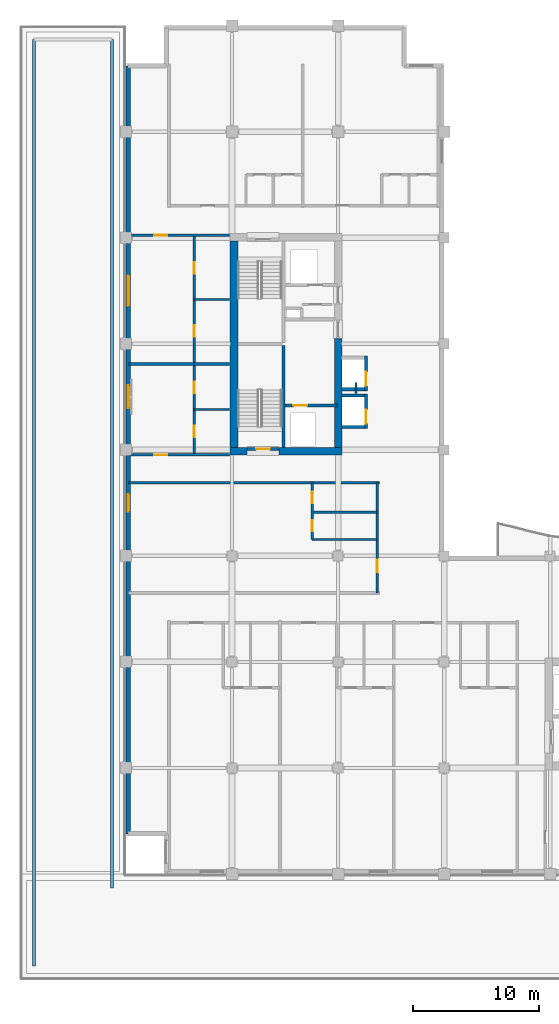
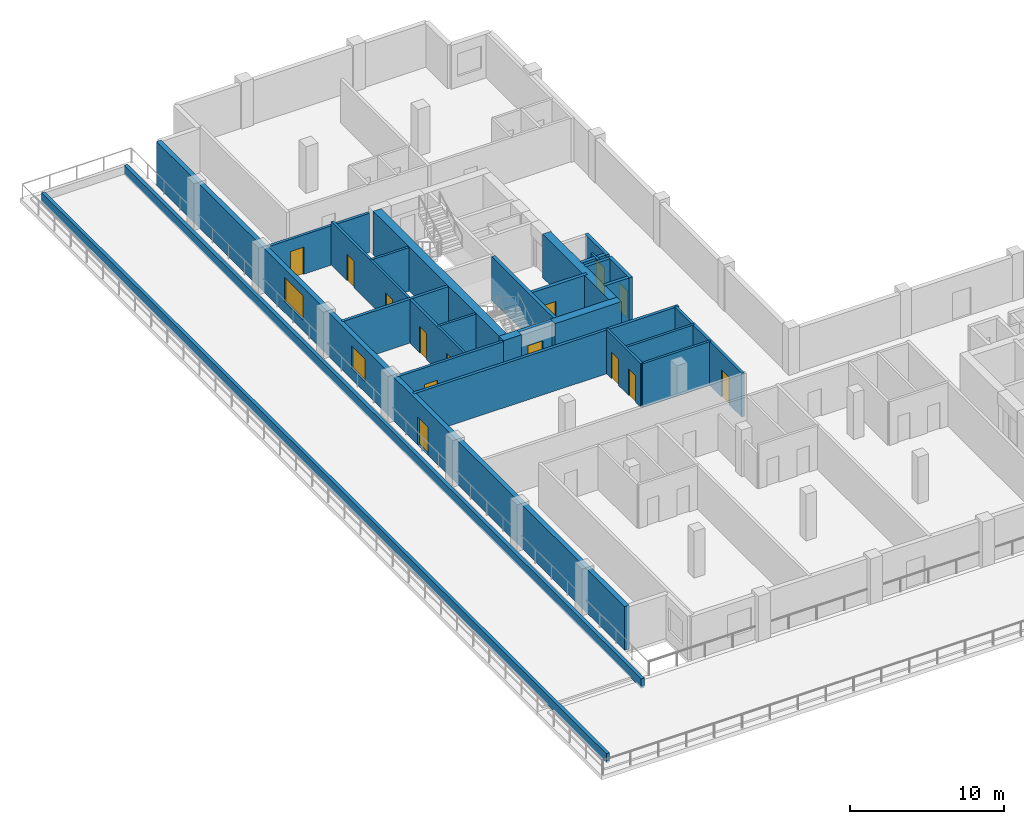
# One storey, part 5 of 13: 28 walls, 14 doors, 2 windows, 16 openings.
"""IFC4 building model written with IfcOpenShell, lengths in metres."""

from ifc_helpers import new_model, si_unit, direction, frame, frame_2d, origin, place, context, subcontext, project, spatial, rectangle, extrude, material, layer, layer_set, type_object, element, fill, save


model = new_model("IFC4")

# Units and contexts
model_context = context("Model", 3, precision=1e-05, world=origin(), true_north=direction((0.0, 1.0)))
body_context = subcontext(model_context, "Body", "Model", "MODEL_VIEW")
ifc_project = project(units=[si_unit("LENGTHUNIT", "METRE"), si_unit("AREAUNIT", "SQUARE_METRE"), si_unit("VOLUMEUNIT", "CUBIC_METRE"), si_unit("PLANEANGLEUNIT", "RADIAN"), si_unit("MASSUNIT", "GRAM", prefix="KILO")], contexts=[model_context])

# Site, building, storey
site_placement = place(None, origin())
site = spatial("IfcSite", under=ifc_project, at=site_placement, CompositionType="ELEMENT")
building_placement = place(site_placement, origin())
building = spatial("IfcBuilding", under=site, at=building_placement, Name="Koriwani Terraces Tower", CompositionType="ELEMENT")
storey_placement = place(building_placement, frame((0.0, 0.0, 234.199951171875)))
storey = spatial("IfcBuildingStorey", under=building, at=storey_placement, Name="L57", CompositionType="ELEMENT", Elevation=234.199951171875)

# Walls
ifc_material_1 = material(Name="Concrete C60/75", Category="concrete")
ifc_layer_1 = layer(ifc_material_1, 0.60009765625, Name="Concrete C60/75")
ifc_layer_set_1 = layer_set([ifc_layer_1], Name="Concrete C60/75")
wall_type_1 = type_object("IfcWallType", Name="WALL_CORE_RC_600", PredefinedType="SHEAR", material=ifc_layer_set_1)
wall_1_placement = place(storey_placement, frame((16.64990234375, 41.89990234375, 0.0), z_axis=(0.0, 0.0, 1.0), x_axis=(1.0, 0.0, 0.0)))
element("IfcWall", 1, at=wall_1_placement, inside=storey, type_object=wall_type_1, Name="L57 West Split Core Shear Wall S1", PredefinedType="SHEAR", context=body_context, shape_type="SweptSolid", body=[
    extrude(rectangle(XDim=1.35009765625, YDim=0.60009765625, at=frame_2d((0.675048828125, 0.0))), origin(), (0.0, 0.0, 1.0), 3.469970703125),
])
wall_2_placement = place(storey_placement, frame((20.5, 41.89990234375, 0.0), z_axis=(0.0, 0.0, 1.0), x_axis=(1.0, 0.0, 0.0)))
element("IfcWall", 2, at=wall_2_placement, inside=storey, type_object=wall_type_1, Name="L57 West Split Core Shear Wall S2", PredefinedType="SHEAR", context=body_context, shape_type="SweptSolid", body=[
    extrude(rectangle(XDim=5.0, YDim=0.60009765625, at=frame_2d((2.5, 0.0))), origin(), (0.0, 0.0, 1.0), 3.469970703125),
])
wall_3_placement = place(storey_placement, frame((16.949951171875, 42.199951171875, 0.0), z_axis=(0.0, 0.0, 1.0), x_axis=(0.0, 1.0, 0.0)))
element("IfcWall", 3, at=wall_3_placement, inside=storey, type_object=wall_type_1, Name="L57 West Split Core Shear Wall W1", PredefinedType="SHEAR", context=body_context, shape_type="SweptSolid", body=[
    extrude(rectangle(XDim=16.35009765625, YDim=0.60009765625, at=frame_2d((8.175048828125, 0.0))), origin(), (0.0, 0.0, 1.0), 3.469970703125),
])
wall_4_placement = place(storey_placement, frame((25.199951171875, 42.199951171875, 0.0), z_axis=(0.0, 0.0, 1.0), x_axis=(0.0, 1.0, 0.0)))
element("IfcWall", 4, at=wall_4_placement, inside=storey, type_object=wall_type_1, Name="L57 West Split Core Shear Wall E1", PredefinedType="SHEAR", context=body_context, shape_type="SweptSolid", body=[
    extrude(rectangle(XDim=8.60009765625, YDim=0.60009765625, at=frame_2d((4.300048828125, 0.0))), origin(), (0.0, 0.0, 1.0), 3.469970703125),
])

# Wall, opening, door
ifc_material_2 = material(Name="Autoclaved Cellular Concrete Blockwork", Category="masonry")
ifc_layer_2 = layer(ifc_material_2, 0.199951171875, Name="Autoclaved Cellular Concrete Blockwork")
ifc_layer_set_2 = layer_set([ifc_layer_2], Name="Autoclaved Cellular Concrete Blockwork")
wall_type_2 = type_object("IfcWallType", Name="WALL_CORRIDOR_200", PredefinedType="PARTITIONING", material=ifc_layer_set_2)
wall_5_placement = place(storey_placement, frame((8.64990234375, 41.60009765625, 0.0), z_axis=(0.0, 0.0, 1.0), x_axis=(1.0, 0.0, 0.0)))
wall_5 = element("IfcWall", 5, at=wall_5_placement, inside=storey, type_object=wall_type_2, Name="L57 Interior Wall WRZ4-WS-L57", PredefinedType="PARTITIONING", context=body_context, shape_type="SweptSolid", body=[
    extrude(rectangle(XDim=7.9501953125, YDim=0.199951171875, at=frame_2d((3.97509765625, 0.0))), origin(), (0.0, 0.0, 1.0), 3.469970703125),
])
opening_1_placement = place(wall_5_placement, frame((2.0, 0.0, 0.0)))
opening_1 = element("IfcOpeningElement", 6, at=opening_1_placement, cuts=wall_5, Name="Opening D-05", PredefinedType="OPENING", context=body_context, shape_type="SweptSolid", body=[
    extrude(rectangle(XDim=1.0, YDim=2.14990234375, at=frame_2d((0.5, 1.074951171875))), frame((0.0, 0.10986328125, 0.0), z_axis=(0.0, -1.0, 0.0), x_axis=(1.0, 0.0, 0.0)), (0.0, 0.0, 1.0), 0.219970703125),
])
ifc_material_3 = material(Name="Architectural Oak Fire Door", Category="wood")
door_type_1 = type_object("IfcDoorType", Name="DOOR_SUITE_ENTRY_1000X2150", OperationType="NOTDEFINED", PredefinedType="DOOR", material=ifc_material_3)
door_1_placement = place(opening_1_placement, origin())
door_1 = element("IfcDoor", 7, at=door_1_placement, inside=storey, type_object=door_type_1, Name="Apartment 57RW1 Entrance Door", OperationType="SINGLE_SWING_LEFT", OverallHeight=2.14990234375, OverallWidth=1.0, PredefinedType="DOOR", context=body_context, shape_type="SweptSolid", body=[
    extrude(rectangle(XDim=1.0, YDim=2.14990234375, at=frame_2d((0.5, 1.074951171875))), frame((0.0, 0.02490234375, 0.0), z_axis=(0.0, -1.0, 0.0), x_axis=(1.0, 0.0, 0.0)), (0.0, 0.0, 1.0), 0.050048828125),
])
fill(opening_1, door_1)

wall_6_placement = place(storey_placement, frame((8.64990234375, 59.0, 0.0), z_axis=(0.0, 0.0, 1.0), x_axis=(1.0, 0.0, 0.0)))
wall_6 = element("IfcWall", 8, at=wall_6_placement, inside=storey, type_object=wall_type_2, Name="L57 Interior Wall WRZ4-WN-L57", PredefinedType="PARTITIONING", context=body_context, shape_type="SweptSolid", body=[
    extrude(rectangle(XDim=7.9501953125, YDim=0.199951171875, at=frame_2d((3.97509765625, 0.0))), origin(), (0.0, 0.0, 1.0), 3.115966796875),
])
opening_2_placement = place(wall_6_placement, frame((2.0, 0.0, 0.0)))
opening_2 = element("IfcOpeningElement", 9, at=opening_2_placement, cuts=wall_6, Name="Opening D-05", PredefinedType="OPENING", context=body_context, shape_type="SweptSolid", body=[
    extrude(rectangle(XDim=1.0, YDim=2.14990234375, at=frame_2d((0.5, 1.074951171875))), frame((0.0, 0.10986328125, 0.0), z_axis=(0.0, -1.0, 0.0), x_axis=(1.0, 0.0, 0.0)), (0.0, 0.0, 1.0), 0.219970703125),
])
door_2_placement = place(opening_2_placement, origin())
door_2 = element("IfcDoor", 10, at=door_2_placement, inside=storey, type_object=door_type_1, Name="Apartment 57RW2 Entrance Door", OperationType="SINGLE_SWING_RIGHT", OverallHeight=2.14990234375, OverallWidth=1.0, PredefinedType="DOOR", context=body_context, shape_type="SweptSolid", body=[
    extrude(rectangle(XDim=1.0, YDim=2.14990234375, at=frame_2d((0.5, 1.074951171875))), frame((0.0, 0.02490234375, 0.0), z_axis=(0.0, -1.0, 0.0), x_axis=(1.0, 0.0, 0.0)), (0.0, 0.0, 1.0), 0.050048828125),
])
fill(opening_2, door_2)

wall_7_placement = place(storey_placement, frame((28.300048828125, 30.64990234375, 0.0), z_axis=(0.0, 0.0, 1.0), x_axis=(0.0, 1.0, 0.0)))
wall_7 = element("IfcWall", 11, at=wall_7_placement, inside=storey, type_object=wall_type_2, Name="L57 Interior Wall WRCOR-L57-NE-0", PredefinedType="PARTITIONING", context=body_context, shape_type="SweptSolid", body=[
    extrude(rectangle(XDim=8.75, YDim=0.199951171875, at=frame_2d((4.375, 0.0))), origin(), (0.0, 0.0, 1.0), 3.469970703125),
])
opening_3_placement = place(wall_7_placement, frame((1.64501953125, 0.0, 0.0)))
opening_3 = element("IfcOpeningElement", 12, at=opening_3_placement, cuts=wall_7, Name="Opening D-05", PredefinedType="OPENING", context=body_context, shape_type="SweptSolid", body=[
    extrude(rectangle(XDim=1.0, YDim=2.14990234375, at=frame_2d((0.5, 1.074951171875))), frame((0.0, 0.10986328125, 0.0), z_axis=(0.0, -1.0, 0.0), x_axis=(1.0, 0.0, 0.0)), (0.0, 0.0, 1.0), 0.219970703125),
])
door_3_placement = place(opening_3_placement, origin())
door_3 = element("IfcDoor", 13, at=door_3_placement, inside=storey, type_object=door_type_1, Name="Apartment 57NE1 Entrance Door", OperationType="SINGLE_SWING_RIGHT", OverallHeight=2.14990234375, OverallWidth=1.0, PredefinedType="DOOR", context=body_context, shape_type="SweptSolid", body=[
    extrude(rectangle(XDim=1.0, YDim=2.14990234375, at=frame_2d((0.5, 1.074951171875))), frame((0.0, 0.02490234375, 0.0), z_axis=(0.0, -1.0, 0.0), x_axis=(1.0, 0.0, 0.0)), (0.0, 0.0, 1.0), 0.050048828125),
])
fill(opening_3, door_3)

# Walls
ifc_layer_3 = layer(ifc_material_2, 0.219970703125, Name="Autoclaved Cellular Concrete Blockwork")
ifc_layer_set_3 = layer_set([ifc_layer_3], Name="Autoclaved Cellular Concrete Blockwork")
wall_type_3 = type_object("IfcWallType", Name="WALL_DEMISING_220", PredefinedType="PARTITIONING", material=ifc_layer_set_3)
wall_8_placement = place(storey_placement, frame((8.64990234375, 48.800048828125, 0.0), z_axis=(0.0, 0.0, 1.0), x_axis=(1.0, 0.0, 0.0)))
element("IfcWall", 14, at=wall_8_placement, inside=storey, type_object=wall_type_3, Name="L57 Interior Wall WRZ4-WM-L57", PredefinedType="PARTITIONING", context=body_context, shape_type="SweptSolid", body=[
    extrude(rectangle(XDim=7.9501953125, YDim=0.219970703125, at=frame_2d((3.97509765625, 0.0))), origin(), (0.0, 0.0, 1.0), 3.469970703125),
])
wall_9_placement = place(storey_placement, frame((8.60009765625, 39.39990234375, 0.0), z_axis=(0.0, 0.0, 1.0), x_axis=(1.0, 0.0, 0.0)))
element("IfcWall", 15, at=wall_9_placement, inside=storey, type_object=wall_type_3, Name="L57 Interior Wall WRDEME-L57-NE", PredefinedType="PARTITIONING", context=body_context, shape_type="SweptSolid", body=[
    extrude(rectangle(XDim=19.8798828125, YDim=0.219970703125, at=frame_2d((9.93994140625, 0.0))), origin(), (0.0, 0.0, 1.0), 3.469970703125),
])

# Wall, openings, door, windows
ifc_material_4 = material(Name="Concrete C50/60", Category="concrete")
ifc_layer_4 = layer(ifc_material_4, 0.35009765625, Name="Concrete C50/60")
ifc_layer_set_4 = layer_set([ifc_layer_4], Name="Concrete C50/60")
wall_type_4 = type_object("IfcWallType", Name="WALL_EXT_BRUTALIST_350", PredefinedType="STANDARD", material=ifc_layer_set_4)
wall_10_placement = place(storey_placement, frame((8.574951171875, 11.574951171875, 0.0), z_axis=(0.0, 0.0, 1.0), x_axis=(0.0, 1.0, 0.0)))
wall_10 = element("IfcWall", 16, at=wall_10_placement, inside=storey, type_object=wall_type_4, Name="L57 Fair-Faced Brutalist Exterior Wall (W)", PredefinedType="STANDARD", context=body_context, shape_type="SweptSolid", body=[
    extrude(rectangle(XDim=60.85009765625, YDim=0.35009765625, at=frame_2d((30.425048828125, 0.0))), origin(), (0.0, 0.0, 1.0), 3.469970703125),
])
opening_4_placement = place(wall_10_placement, frame((25.52490234375, 0.0, 0.0)))
opening_4 = element("IfcOpeningElement", 17, at=opening_4_placement, cuts=wall_10, Name="Opening D-09", PredefinedType="OPENING", context=body_context, shape_type="SweptSolid", body=[
    extrude(rectangle(XDim=1.39990234375, YDim=2.199951171875, at=frame_2d((0.699951171875, 1.10009765625))), frame((0.0, 0.18505859375, 0.0), z_axis=(0.0, -1.0, 0.0), x_axis=(1.0, 0.0, 0.0)), (0.0, 0.0, 1.0), 0.3701171875),
])
opening_5_placement = place(wall_10_placement, frame((33.72509765625, 0.0, 0.85009765625)))
opening_5 = element("IfcOpeningElement", 18, at=opening_5_placement, cuts=wall_10, Name="Opening W-04", PredefinedType="OPENING", context=body_context, shape_type="SweptSolid", body=[
    extrude(rectangle(XDim=1.800048828125, YDim=1.800048828125, at=frame_2d((0.89990234375, 0.89990234375))), frame((0.0, 0.18505859375, 0.0), z_axis=(0.0, -1.0, 0.0), x_axis=(1.0, 0.0, 0.0)), (0.0, 0.0, 1.0), 0.3701171875),
])
opening_6_placement = place(wall_10_placement, frame((41.824951171875, 0.0, 0.85009765625)))
opening_6 = element("IfcOpeningElement", 19, at=opening_6_placement, cuts=wall_10, Name="Opening W-03", PredefinedType="OPENING", context=body_context, shape_type="SweptSolid", body=[
    extrude(rectangle(XDim=2.39990234375, YDim=1.949951171875, at=frame_2d((1.199951171875, 0.97509765625))), frame((0.0, 0.18505859375, 0.0), z_axis=(0.0, -1.0, 0.0), x_axis=(1.0, 0.0, 0.0)), (0.0, 0.0, 1.0), 0.3701171875),
])
ifc_material_5 = material(Name="Anodised Bronze Aluminium", Category="aluminium")
door_type_2 = type_object("IfcDoorType", Name="DOOR_BALCONY_GLAZED_1400X2200", OperationType="NOTDEFINED", PredefinedType="DOOR", material=ifc_material_5)
door_4_placement = place(opening_4_placement, origin())
door_4 = element("IfcDoor", 20, at=door_4_placement, inside=storey, type_object=door_type_2, Name="L57 West Spine Sky-Garden Terrace Door", OperationType="SINGLE_SWING_LEFT", OverallHeight=2.199951171875, OverallWidth=1.39990234375, PredefinedType="DOOR", context=body_context, shape_type="SweptSolid", body=[
    extrude(rectangle(XDim=1.39990234375, YDim=2.199951171875, at=frame_2d((0.699951171875, 1.10009765625))), frame((0.0, 0.02490234375, 0.0), z_axis=(0.0, -1.0, 0.0), x_axis=(1.0, 0.0, 0.0)), (0.0, 0.0, 1.0), 0.050048828125),
])
fill(opening_4, door_4)
ifc_material_6 = material(Name="Tempered Laminated Low-E Glass", Category="glass")
window_type_1 = type_object("IfcWindowType", Name="WIN_RES_BED_1800X1800", PartitioningType="DOUBLE_PANEL_VERTICAL", PredefinedType="WINDOW", material=ifc_material_6)
window_1_placement = place(opening_5_placement, origin())
window_1 = element("IfcWindow", 21, at=window_1_placement, inside=storey, type_object=window_type_1, Name="L57 Exterior Window (W-12)", OverallHeight=1.800048828125, OverallWidth=1.800048828125, PartitioningType="SINGLE_PANEL", PredefinedType="WINDOW", context=body_context, shape_type="SweptSolid", body=[
    extrude(rectangle(XDim=1.800048828125, YDim=1.800048828125, at=frame_2d((0.89990234375, 0.89990234375))), frame((0.0, 0.030029296875, 0.0), z_axis=(0.0, -1.0, 0.0), x_axis=(1.0, 0.0, 0.0)), (0.0, 0.0, 1.0), 0.06005859375),
])
fill(opening_5, window_1)
window_type_2 = type_object("IfcWindowType", Name="WIN_RES_LIVING_2400X1950", PartitioningType="DOUBLE_PANEL_VERTICAL", PredefinedType="WINDOW", material=ifc_material_6)
window_2_placement = place(opening_6_placement, origin())
window_2 = element("IfcWindow", 22, at=window_2_placement, inside=storey, type_object=window_type_2, Name="L57 Exterior Window (W-15)", OverallHeight=1.949951171875, OverallWidth=2.39990234375, PartitioningType="SINGLE_PANEL", PredefinedType="WINDOW", context=body_context, shape_type="SweptSolid", body=[
    extrude(rectangle(XDim=2.39990234375, YDim=1.949951171875, at=frame_2d((1.199951171875, 0.97509765625))), frame((0.0, 0.030029296875, 0.0), z_axis=(0.0, -1.0, 0.0), x_axis=(1.0, 0.0, 0.0)), (0.0, 0.0, 1.0), 0.06005859375),
])
fill(opening_6, window_2)

# Wall, openings, doors
ifc_material_7 = material(Name="Fire-Rated Acoustic Gypsum Partition", Category="masonry")
ifc_layer_5 = layer(ifc_material_7, 0.179931640625, Name="Fire-Rated Acoustic Gypsum Partition")
ifc_layer_set_5 = layer_set([ifc_layer_5], Name="Fire-Rated Acoustic Gypsum Partition")
wall_type_5 = type_object("IfcWallType", Name="WALL_PLUMBING_180", PredefinedType="PLUMBINGWALL", material=ifc_layer_set_5)
wall_11_placement = place(storey_placement, frame((13.800048828125, 41.699951171875, 0.0), z_axis=(0.0, 0.0, 1.0), x_axis=(0.0, 1.0, 0.0)))
wall_11 = element("IfcWall", 23, at=wall_11_placement, inside=storey, type_object=wall_type_5, Name="L57 Interior Wall WRZ4-RW1-PB-L57", PredefinedType="PLUMBINGWALL", context=body_context, shape_type="SweptSolid", body=[
    extrude(rectangle(XDim=7.0, YDim=0.179931640625, at=frame_2d((3.5, 0.0))), origin(), (0.0, 0.0, 1.0), 3.469970703125),
])
opening_7_placement = place(wall_11_placement, frame((1.300048828125, 0.0, 0.0)))
opening_7 = element("IfcOpeningElement", 24, at=opening_7_placement, cuts=wall_11, Name="Opening D-07", PredefinedType="OPENING", context=body_context, shape_type="SweptSolid", body=[
    extrude(rectangle(XDim=0.89990234375, YDim=2.10009765625, at=frame_2d((0.449951171875, 1.050048828125))), frame((0.0, 0.10009765625, 0.0), z_axis=(0.0, -1.0, 0.0), x_axis=(1.0, 0.0, 0.0)), (0.0, 0.0, 1.0), 0.199951171875),
])
opening_8_placement = place(wall_11_placement, frame((4.7900390625, 0.0, 0.0)))
opening_8 = element("IfcOpeningElement", 25, at=opening_8_placement, cuts=wall_11, Name="Opening D-06", PredefinedType="OPENING", context=body_context, shape_type="SweptSolid", body=[
    extrude(rectangle(XDim=0.919921875, YDim=2.10009765625, at=frame_2d((0.4599609375, 1.050048828125))), frame((0.0, 0.10009765625, 0.0), z_axis=(0.0, -1.0, 0.0), x_axis=(1.0, 0.0, 0.0)), (0.0, 0.0, 1.0), 0.199951171875),
])
door_type_3 = type_object("IfcDoorType", Name="DOOR_BATH_INT_900X2100", OperationType="NOTDEFINED", PredefinedType="DOOR", material=ifc_material_3)
door_5_placement = place(opening_7_placement, origin())
door_5 = element("IfcDoor", 26, at=door_5_placement, inside=storey, type_object=door_type_3, Name="Apartment 57RW1 Bathroom Door", OperationType="SINGLE_SWING_LEFT", OverallHeight=2.10009765625, OverallWidth=0.89990234375, PredefinedType="DOOR", context=body_context, shape_type="SweptSolid", body=[
    extrude(rectangle(XDim=0.89990234375, YDim=2.10009765625, at=frame_2d((0.449951171875, 1.050048828125))), frame((0.0, 0.02490234375, 0.0), z_axis=(0.0, -1.0, 0.0), x_axis=(1.0, 0.0, 0.0)), (0.0, 0.0, 1.0), 0.050048828125),
])
fill(opening_7, door_5)
door_type_4 = type_object("IfcDoorType", Name="DOOR_ROOM_INT_920X2100", OperationType="NOTDEFINED", PredefinedType="DOOR", material=ifc_material_3)
door_6_placement = place(opening_8_placement, origin())
door_6 = element("IfcDoor", 27, at=door_6_placement, inside=storey, type_object=door_type_4, Name="Apartment 57RW1 Kitchen Door", OperationType="SINGLE_SWING_RIGHT", OverallHeight=2.10009765625, OverallWidth=0.919921875, PredefinedType="DOOR", context=body_context, shape_type="SweptSolid", body=[
    extrude(rectangle(XDim=0.919921875, YDim=2.10009765625, at=frame_2d((0.4599609375, 1.050048828125))), frame((0.0, 0.02490234375, 0.0), z_axis=(0.0, -1.0, 0.0), x_axis=(1.0, 0.0, 0.0)), (0.0, 0.0, 1.0), 0.050048828125),
])
fill(opening_8, door_6)

# Wall
wall_12_placement = place(storey_placement, frame((13.800048828125, 45.199951171875, 0.0), z_axis=(0.0, 0.0, 1.0), x_axis=(1.0, 0.0, 0.0)))
element("IfcWall", 28, at=wall_12_placement, inside=storey, type_object=wall_type_5, Name="L57 Interior Wall WRZ4-RW1-P2-L57", PredefinedType="PLUMBINGWALL", context=body_context, shape_type="SweptSolid", body=[
    extrude(rectangle(XDim=2.800048828125, YDim=0.179931640625, at=frame_2d((1.39990234375, 0.0))), origin(), (0.0, 0.0, 1.0), 3.469970703125),
])

# Wall, openings, doors
wall_13_placement = place(storey_placement, frame((13.800048828125, 48.89990234375, 0.0), z_axis=(0.0, 0.0, 1.0), x_axis=(0.0, 1.0, 0.0)))
wall_13 = element("IfcWall", 29, at=wall_13_placement, inside=storey, type_object=wall_type_5, Name="L57 Interior Wall WRZ4-RW2-PB-L57", PredefinedType="PLUMBINGWALL", context=body_context, shape_type="SweptSolid", body=[
    extrude(rectangle(XDim=10.0, YDim=0.179931640625, at=frame_2d((5.0, 0.0))), origin(), (0.0, 0.0, 1.0), 3.469970703125),
])
opening_9_placement = place(wall_13_placement, frame((2.050048828125, 0.0, 0.0)))
opening_9 = element("IfcOpeningElement", 30, at=opening_9_placement, cuts=wall_13, Name="Opening D-07", PredefinedType="OPENING", context=body_context, shape_type="SweptSolid", body=[
    extrude(rectangle(XDim=0.89990234375, YDim=2.10009765625, at=frame_2d((0.449951171875, 1.050048828125))), frame((0.0, 0.10009765625, 0.0), z_axis=(0.0, -1.0, 0.0), x_axis=(1.0, 0.0, 0.0)), (0.0, 0.0, 1.0), 0.199951171875),
])
opening_10_placement = place(wall_13_placement, frame((7.0400390625, 0.0, 0.0)))
opening_10 = element("IfcOpeningElement", 31, at=opening_10_placement, cuts=wall_13, Name="Opening D-06", PredefinedType="OPENING", context=body_context, shape_type="SweptSolid", body=[
    extrude(rectangle(XDim=0.919921875, YDim=2.10009765625, at=frame_2d((0.4599609375, 1.050048828125))), frame((0.0, 0.10009765625, 0.0), z_axis=(0.0, -1.0, 0.0), x_axis=(1.0, 0.0, 0.0)), (0.0, 0.0, 1.0), 0.199951171875),
])
door_7_placement = place(opening_9_placement, origin())
door_7 = element("IfcDoor", 32, at=door_7_placement, inside=storey, type_object=door_type_3, Name="Apartment 57RW2 Bathroom Door", OperationType="SINGLE_SWING_LEFT", OverallHeight=2.10009765625, OverallWidth=0.89990234375, PredefinedType="DOOR", context=body_context, shape_type="SweptSolid", body=[
    extrude(rectangle(XDim=0.89990234375, YDim=2.10009765625, at=frame_2d((0.449951171875, 1.050048828125))), frame((0.0, 0.02490234375, 0.0), z_axis=(0.0, -1.0, 0.0), x_axis=(1.0, 0.0, 0.0)), (0.0, 0.0, 1.0), 0.050048828125),
])
fill(opening_9, door_7)
door_8_placement = place(opening_10_placement, origin())
door_8 = element("IfcDoor", 33, at=door_8_placement, inside=storey, type_object=door_type_4, Name="Apartment 57RW2 Kitchen Door", OperationType="SINGLE_SWING_RIGHT", OverallHeight=2.10009765625, OverallWidth=0.919921875, PredefinedType="DOOR", context=body_context, shape_type="SweptSolid", body=[
    extrude(rectangle(XDim=0.919921875, YDim=2.10009765625, at=frame_2d((0.4599609375, 1.050048828125))), frame((0.0, 0.02490234375, 0.0), z_axis=(0.0, -1.0, 0.0), x_axis=(1.0, 0.0, 0.0)), (0.0, 0.0, 1.0), 0.050048828125),
])
fill(opening_10, door_8)

# Wall
wall_14_placement = place(storey_placement, frame((13.800048828125, 53.89990234375, 0.0), z_axis=(0.0, 0.0, 1.0), x_axis=(1.0, 0.0, 0.0)))
element("IfcWall", 34, at=wall_14_placement, inside=storey, type_object=wall_type_5, Name="L57 Interior Wall WRZ4-RW2-P2-L57", PredefinedType="PLUMBINGWALL", context=body_context, shape_type="SweptSolid", body=[
    extrude(rectangle(XDim=2.800048828125, YDim=0.179931640625, at=frame_2d((1.39990234375, 0.0))), origin(), (0.0, 0.0, 1.0), 3.469970703125),
])

# Wall, openings, doors
wall_15_placement = place(storey_placement, frame((23.14990234375, 34.89990234375, 0.0), z_axis=(0.0, 0.0, 1.0), x_axis=(0.0, 1.0, 0.0)))
wall_15 = element("IfcWall", 35, at=wall_15_placement, inside=storey, type_object=wall_type_5, Name="L57 Interior Wall WRSVC-L57-NE-0", PredefinedType="PLUMBINGWALL", context=body_context, shape_type="SweptSolid", body=[
    extrude(rectangle(XDim=4.5, YDim=0.179931640625, at=frame_2d((2.25, 0.0))), origin(), (0.0, 0.0, 1.0), 3.469970703125),
])
opening_11_placement = place(wall_15_placement, frame((0.6298828125, 0.0, 0.0)))
opening_11 = element("IfcOpeningElement", 36, at=opening_11_placement, cuts=wall_15, Name="Opening D-07", PredefinedType="OPENING", context=body_context, shape_type="SweptSolid", body=[
    extrude(rectangle(XDim=0.89990234375, YDim=2.10009765625, at=frame_2d((0.449951171875, 1.050048828125))), frame((0.0, 0.10009765625, 0.0), z_axis=(0.0, -1.0, 0.0), x_axis=(1.0, 0.0, 0.0)), (0.0, 0.0, 1.0), 0.199951171875),
])
opening_12_placement = place(wall_15_placement, frame((2.8701171875, 0.0, 0.0)))
opening_12 = element("IfcOpeningElement", 37, at=opening_12_placement, cuts=wall_15, Name="Opening D-06", PredefinedType="OPENING", context=body_context, shape_type="SweptSolid", body=[
    extrude(rectangle(XDim=0.919921875, YDim=2.10009765625, at=frame_2d((0.4599609375, 1.050048828125))), frame((0.0, 0.10009765625, 0.0), z_axis=(0.0, -1.0, 0.0), x_axis=(1.0, 0.0, 0.0)), (0.0, 0.0, 1.0), 0.199951171875),
])
door_9_placement = place(opening_11_placement, origin())
door_9 = element("IfcDoor", 38, at=door_9_placement, inside=storey, type_object=door_type_3, Name="Apartment 57NE1 Bathroom Door", OperationType="SINGLE_SWING_LEFT", OverallHeight=2.10009765625, OverallWidth=0.89990234375, PredefinedType="DOOR", context=body_context, shape_type="SweptSolid", body=[
    extrude(rectangle(XDim=0.89990234375, YDim=2.10009765625, at=frame_2d((0.449951171875, 1.050048828125))), frame((0.0, 0.02490234375, 0.0), z_axis=(0.0, -1.0, 0.0), x_axis=(1.0, 0.0, 0.0)), (0.0, 0.0, 1.0), 0.050048828125),
])
fill(opening_11, door_9)
door_10_placement = place(opening_12_placement, origin())
door_10 = element("IfcDoor", 39, at=door_10_placement, inside=storey, type_object=door_type_4, Name="Apartment 57NE1 Kitchen Door", OperationType="SINGLE_SWING_RIGHT", OverallHeight=2.10009765625, OverallWidth=0.919921875, PredefinedType="DOOR", context=body_context, shape_type="SweptSolid", body=[
    extrude(rectangle(XDim=0.919921875, YDim=2.10009765625, at=frame_2d((0.4599609375, 1.050048828125))), frame((0.0, 0.02490234375, 0.0), z_axis=(0.0, -1.0, 0.0), x_axis=(1.0, 0.0, 0.0)), (0.0, 0.0, 1.0), 0.050048828125),
])
fill(opening_12, door_10)

# Walls
for number, where, z_axis, x_axis, name in (
    (40, (23.14990234375, 34.89990234375, 0.0), (0.0, 0.0, 1.0), (1.0, 0.0, 0.0), "L57 Interior Wall WRSVCS-L57-NE-0"),
    (41, (23.14990234375, 37.06005859375, 0.0), (0.0, 0.0, 1.0), (1.0, 0.0, 0.0), "L57 Interior Wall WRSVCM-L57-NE-0"),
):
    element("IfcWall", number, at=place(storey_placement, frame(where, z_axis=z_axis, x_axis=x_axis)), inside=storey, type_object=wall_type_5, Name=name, PredefinedType="PLUMBINGWALL", context=body_context, shape_type="SweptSolid", body=[
        extrude(rectangle(XDim=5.150146484375, YDim=0.179931640625, at=frame_2d((2.5751953125, 0.0))), origin(), (0.0, 0.0, 1.0), 3.469970703125),
    ])
ifc_material_8 = material(Name="Concrete C40/50", Category="concrete")
ifc_layer_6 = layer(ifc_material_8, 0.25, Name="Concrete C40/50")
ifc_layer_set_6 = layer_set([ifc_layer_6], Name="Concrete C40/50")
wall_type_6 = type_object("IfcWallType", Name="WALL_SHAFT_RATED_250", PredefinedType="SOLIDWALL", material=ifc_layer_set_6)
wall_16_placement = place(storey_placement, frame((20.875, 42.199951171875, 0.0), z_axis=(0.0, 0.0, 1.0), x_axis=(0.0, 1.0, 0.0)))
element("IfcWall", 42, at=wall_16_placement, inside=storey, type_object=wall_type_6, Name="L57 West Split Core Web Wall MID1", PredefinedType="SOLIDWALL", context=body_context, shape_type="SweptSolid", body=[
    extrude(rectangle(XDim=8.050048828125, YDim=0.25, at=frame_2d((4.02490234375, 0.0))), origin(), (0.0, 0.0, 1.0), 3.469970703125),
])

# Wall, opening, door
wall_17_placement = place(storey_placement, frame((18.0, 42.074951171875, 0.0), z_axis=(0.0, 0.0, 1.0), x_axis=(1.0, 0.0, 0.0)))
wall_17 = element("IfcWall", 43, at=wall_17_placement, inside=storey, type_object=wall_type_6, Name="L57 Interior Wall WIN-CW-L57-STS", PredefinedType="SOLIDWALL", context=body_context, shape_type="SweptSolid", body=[
    extrude(rectangle(XDim=2.5, YDim=0.25, at=frame_2d((1.25, 0.0))), origin(), (0.0, 0.0, 1.0), 3.469970703125),
])
opening_13_placement = place(wall_17_placement, frame((0.699951171875, 0.0, 0.0)))
opening_13 = element("IfcOpeningElement", 44, at=opening_13_placement, cuts=wall_17, Name="Opening D-03", PredefinedType="OPENING", context=body_context, shape_type="SweptSolid", body=[
    extrude(rectangle(XDim=1.10009765625, YDim=2.14990234375, at=frame_2d((0.550048828125, 1.074951171875))), frame((0.0, 0.135009765625, 0.0), z_axis=(0.0, -1.0, 0.0), x_axis=(1.0, 0.0, 0.0)), (0.0, 0.0, 1.0), 0.27001953125),
])
ifc_material_9 = material(Name="Steel ASTM A572 Grade 50", Category="steel")
door_type_5 = type_object("IfcDoorType", Name="DOOR_STAIR_FIRE_1100X2150", OperationType="NOTDEFINED", PredefinedType="DOOR", material=ifc_material_9)
door_11_placement = place(opening_13_placement, origin())
door_11 = element("IfcDoor", 45, at=door_11_placement, inside=storey, type_object=door_type_5, Name="L57 Exit Stair ST-W1 Door", OperationType="SINGLE_SWING_LEFT", OverallHeight=2.14990234375, OverallWidth=1.10009765625, PredefinedType="DOOR", context=body_context, shape_type="SweptSolid", body=[
    extrude(rectangle(XDim=1.10009765625, YDim=2.14990234375, at=frame_2d((0.550048828125, 1.074951171875))), frame((0.0, 0.02490234375, 0.0), z_axis=(0.0, -1.0, 0.0), x_axis=(1.0, 0.0, 0.0)), (0.0, 0.0, 1.0), 0.050048828125),
])
fill(opening_13, door_11)

wall_18_placement = place(storey_placement, frame((21.0, 45.5, 0.0), z_axis=(0.0, 0.0, 1.0), x_axis=(1.0, 0.0, 0.0)))
wall_18 = element("IfcWall", 46, at=wall_18_placement, inside=storey, type_object=wall_type_6, Name="L57 Interior Wall WIN-CW-L57-FE", PredefinedType="SOLIDWALL", context=body_context, shape_type="SweptSolid", body=[
    extrude(rectangle(XDim=4.14990234375, YDim=0.25, at=frame_2d((2.074951171875, 0.0))), origin(), (0.0, 0.0, 1.0), 3.469970703125),
])
opening_14_placement = place(wall_18_placement, frame((0.64990234375, 0.0, 0.0)))
opening_14 = element("IfcOpeningElement", 47, at=opening_14_placement, cuts=wall_18, Name="Opening LD-01", PredefinedType="OPENING", context=body_context, shape_type="SweptSolid", body=[
    extrude(rectangle(XDim=1.10009765625, YDim=2.14990234375, at=frame_2d((0.550048828125, 1.074951171875))), frame((0.0, 0.135009765625, 0.0), z_axis=(0.0, -1.0, 0.0), x_axis=(1.0, 0.0, 0.0)), (0.0, 0.0, 1.0), 0.27001953125),
])
door_type_6 = type_object("IfcDoorType", Name="DOOR_LIFT_LANDING_1100X2200", OperationType="NOTDEFINED", PredefinedType="DOOR", material=ifc_material_9)
door_12_placement = place(opening_14_placement, origin())
door_12 = element("IfcDoor", 48, at=door_12_placement, inside=storey, type_object=door_type_6, Name="L57 Firefighting Lift FE-01 Landing Door", OperationType="SLIDING_TO_LEFT", OverallHeight=2.14990234375, OverallWidth=1.10009765625, PredefinedType="DOOR", context=body_context, shape_type="SweptSolid", body=[
    extrude(rectangle(XDim=1.10009765625, YDim=2.14990234375, at=frame_2d((0.550048828125, 1.074951171875))), frame((0.0, 0.02490234375, 0.0), z_axis=(0.0, -1.0, 0.0), x_axis=(1.0, 0.0, 0.0)), (0.0, 0.0, 1.0), 0.050048828125),
])
fill(opening_14, door_12)

wall_19_placement = place(storey_placement, frame((27.39990234375, 43.675048828125, 0.0), z_axis=(0.0, 0.0, 1.0), x_axis=(0.0, 1.0, 0.0)))
wall_19 = element("IfcWall", 49, at=wall_19_placement, inside=storey, type_object=wall_type_6, Name="L57 Interior Wall WIN-LF-PE-H1-L57-F", PredefinedType="SOLIDWALL", context=body_context, shape_type="SweptSolid", body=[
    extrude(rectangle(XDim=2.75, YDim=0.25, at=frame_2d((1.375, 0.0))), origin(), (0.0, 0.0, 1.0), 3.469970703125),
])
opening_15_placement = place(wall_19_placement, frame((0.39990234375, 0.0, 0.0)))
opening_15 = element("IfcOpeningElement", 50, at=opening_15_placement, cuts=wall_19, Name="Opening LD-01", PredefinedType="OPENING", context=body_context, shape_type="SweptSolid", body=[
    extrude(rectangle(XDim=1.10009765625, YDim=2.14990234375, at=frame_2d((0.550048828125, 1.074951171875))), frame((0.0, 0.135009765625, 0.0), z_axis=(0.0, -1.0, 0.0), x_axis=(1.0, 0.0, 0.0)), (0.0, 0.0, 1.0), 0.27001953125),
])
door_13_placement = place(opening_15_placement, origin())
door_13 = element("IfcDoor", 51, at=door_13_placement, inside=storey, type_object=door_type_6, Name="L57 Passenger Lift PE-H1 Landing Door", OperationType="SLIDING_TO_LEFT", OverallHeight=2.14990234375, OverallWidth=1.10009765625, PredefinedType="DOOR", context=body_context, shape_type="SweptSolid", body=[
    extrude(rectangle(XDim=1.10009765625, YDim=2.14990234375, at=frame_2d((0.550048828125, 1.074951171875))), frame((0.0, 0.02490234375, 0.0), z_axis=(0.0, -1.0, 0.0), x_axis=(1.0, 0.0, 0.0)), (0.0, 0.0, 1.0), 0.050048828125),
])
fill(opening_15, door_13)

# Walls
for number, where, z_axis, x_axis, name in (
    (52, (25.449951171875, 43.800048828125, 0.0), (0.0, 0.0, 1.0), (1.0, 0.0, 0.0), "L57 Interior Wall WIN-LF-PE-H1-L57-S"),
    (53, (25.449951171875, 46.300048828125, 0.0), (0.0, 0.0, 1.0), (1.0, 0.0, 0.0), "L57 Interior Wall WIN-LF-PE-H1-L57-N"),
):
    element("IfcWall", number, at=place(storey_placement, frame(where, z_axis=z_axis, x_axis=x_axis)), inside=storey, type_object=wall_type_6, Name=name, PredefinedType="SOLIDWALL", context=body_context, shape_type="SweptSolid", body=[
        extrude(rectangle(XDim=1.824951171875, YDim=0.25, at=frame_2d((0.91259765625, 0.0))), origin(), (0.0, 0.0, 1.0), 3.469970703125),
    ])

# Wall, opening, door
wall_20_placement = place(storey_placement, frame((27.39990234375, 46.675048828125, 0.0), z_axis=(0.0, 0.0, 1.0), x_axis=(0.0, 1.0, 0.0)))
wall_20 = element("IfcWall", 54, at=wall_20_placement, inside=storey, type_object=wall_type_6, Name="L57 Interior Wall WIN-LF-PE-H2-L57-F", PredefinedType="SOLIDWALL", context=body_context, shape_type="SweptSolid", body=[
    extrude(rectangle(XDim=2.75, YDim=0.25, at=frame_2d((1.375, 0.0))), origin(), (0.0, 0.0, 1.0), 3.469970703125),
])
opening_16_placement = place(wall_20_placement, frame((0.39990234375, 0.0, 0.0)))
opening_16 = element("IfcOpeningElement", 55, at=opening_16_placement, cuts=wall_20, Name="Opening LD-01", PredefinedType="OPENING", context=body_context, shape_type="SweptSolid", body=[
    extrude(rectangle(XDim=1.10009765625, YDim=2.14990234375, at=frame_2d((0.550048828125, 1.074951171875))), frame((0.0, 0.135009765625, 0.0), z_axis=(0.0, -1.0, 0.0), x_axis=(1.0, 0.0, 0.0)), (0.0, 0.0, 1.0), 0.27001953125),
])
door_14_placement = place(opening_16_placement, origin())
door_14 = element("IfcDoor", 56, at=door_14_placement, inside=storey, type_object=door_type_6, Name="L57 Passenger Lift PE-H2 Landing Door", OperationType="SLIDING_TO_LEFT", OverallHeight=2.14990234375, OverallWidth=1.10009765625, PredefinedType="DOOR", context=body_context, shape_type="SweptSolid", body=[
    extrude(rectangle(XDim=1.10009765625, YDim=2.14990234375, at=frame_2d((0.550048828125, 1.074951171875))), frame((0.0, 0.02490234375, 0.0), z_axis=(0.0, -1.0, 0.0), x_axis=(1.0, 0.0, 0.0)), (0.0, 0.0, 1.0), 0.050048828125),
])
fill(opening_16, door_14)

# Walls
wall_21_placement = place(storey_placement, frame((25.449951171875, 46.800048828125, 0.0), z_axis=(0.0, 0.0, 1.0), x_axis=(1.0, 0.0, 0.0)))
element("IfcWall", 57, at=wall_21_placement, inside=storey, type_object=wall_type_6, Name="L57 Interior Wall WIN-LF-PE-H2-L57-S", PredefinedType="SOLIDWALL", context=body_context, shape_type="SweptSolid", body=[
    extrude(rectangle(XDim=1.824951171875, YDim=0.25, at=frame_2d((0.91259765625, 0.0))), origin(), (0.0, 0.0, 1.0), 3.469970703125),
])
ifc_layer_7 = layer(ifc_material_7, 0.159912109375, Name="Fire-Rated Acoustic Gypsum Partition")
ifc_layer_set_7 = layer_set([ifc_layer_7], Name="Fire-Rated Acoustic Gypsum Partition")
wall_type_7 = type_object("IfcWallType", Name="WALL_SUITE_160", PredefinedType="PARTITIONING", material=ifc_layer_set_7)
wall_22_placement = place(storey_placement, frame((26.60009765625, 46.4599609375, 0.0), z_axis=(0.0, 0.0, 1.0), x_axis=(0.0, 1.0, 0.0)))
element("IfcWall", 58, at=wall_22_placement, inside=storey, type_object=wall_type_7, Name="L57 Interior Wall WIN-LF-PEH12-MID-L57", PredefinedType="PARTITIONING", context=body_context, shape_type="SweptSolid", body=[
    extrude(rectangle(XDim=0.880126953125, YDim=0.159912109375, at=frame_2d((0.43994140625, 0.0))), origin(), (0.0, 0.0, 1.0), 3.469970703125),
])
ifc_layer_8 = layer(ifc_material_8, 0.239990234375, Name="Concrete C40/50")
ifc_layer_set_8 = layer_set([ifc_layer_8], Name="Concrete C40/50")
wall_type_8 = type_object("IfcWallType", Name="WALL_TERRACE_PLANTER_240", PredefinedType="USERDEFINED", material=ifc_layer_set_8)
wall_23_placement = place(storey_placement, frame((1.10009765625, 1.10009765625, 0.0), z_axis=(0.0, 0.0, 1.0), x_axis=(0.0, 1.0, 0.0)))
element("IfcWall", 59, at=wall_23_placement, inside=storey, type_object=wall_type_8, Name="L57 Sky-Garden Planted Terrace Planter Wall 1", ObjectType="PLANTER", PredefinedType="USERDEFINED", context=body_context, shape_type="SweptSolid", body=[
    extrude(rectangle(XDim=73.39990234375, YDim=0.239990234375, at=frame_2d((36.699951171875, 0.0))), origin(), (0.0, 0.0, 1.0), 0.75),
])
wall_24_placement = place(storey_placement, frame((7.300048828125, 74.5, 0.0), z_axis=(0.0, 0.0, 1.0), x_axis=(0.0, -1.0, 0.0)))
element("IfcWall", 60, at=wall_24_placement, inside=storey, type_object=wall_type_8, Name="L57 Sky-Garden Planted Terrace Planter Wall 3", ObjectType="PLANTER", PredefinedType="USERDEFINED", context=body_context, shape_type="SweptSolid", body=[
    extrude(rectangle(XDim=67.199951171875, YDim=0.239990234375, at=frame_2d((33.60009765625, 0.0))), origin(), (0.0, 0.0, 1.0), 0.75),
])

save(model, "model.ifc")
